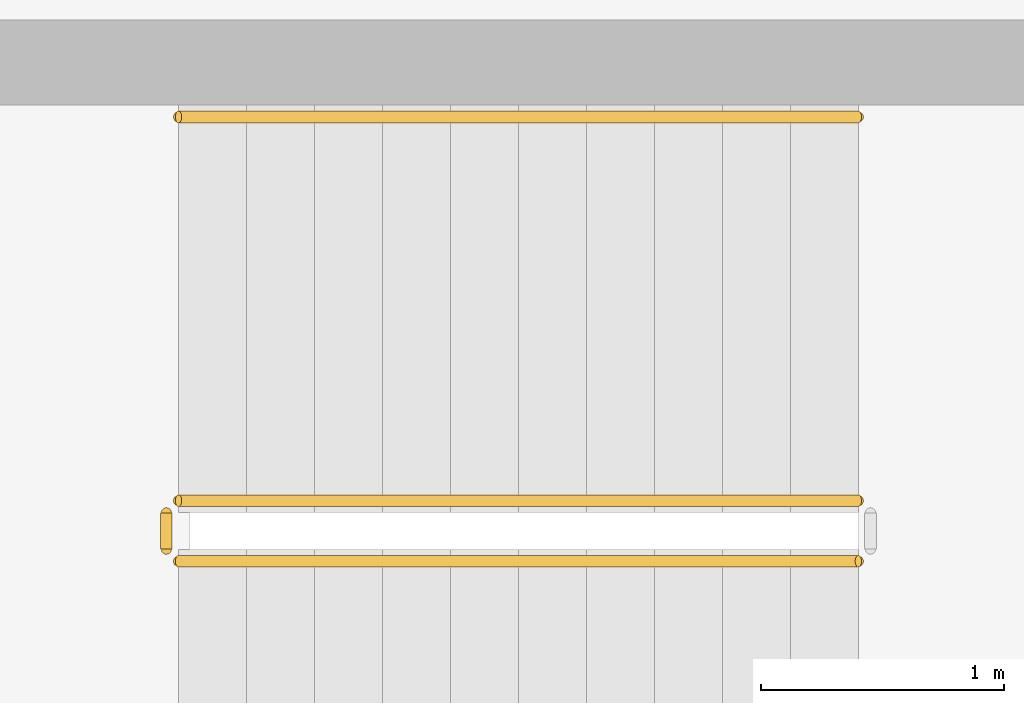
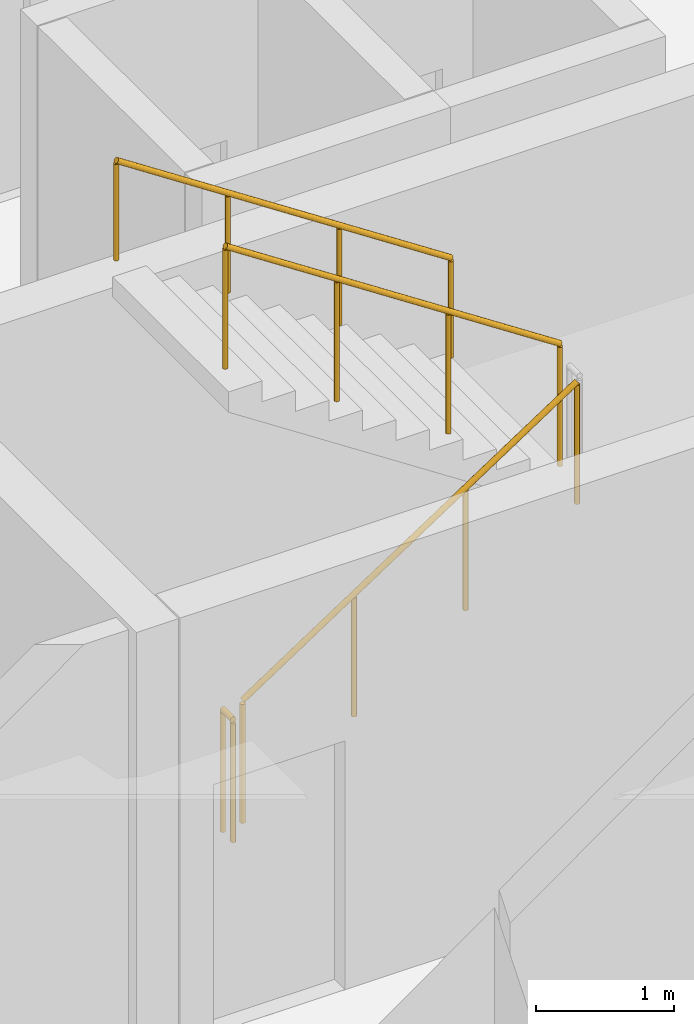
# One storey, part 40 of 45: 4 railings.
"""IFC4 building model written with IfcOpenShell, lengths in metres."""

from ifc_helpers import new_model, si_unit, direction, frame, origin, origin_2d, place, context, subcontext, project, spatial, circle, extrude, material, type_object, element, save


model = new_model("IFC4")

# Units and contexts
model_context = context("Model", 3, precision=1e-05, world=origin(), true_north=direction((0.0, 1.0)))
body_context = subcontext(model_context, "Body", "Model", "MODEL_VIEW")
ifc_project = project(units=[si_unit("LENGTHUNIT", "METRE"), si_unit("AREAUNIT", "SQUARE_METRE"), si_unit("VOLUMEUNIT", "CUBIC_METRE"), si_unit("PLANEANGLEUNIT", "RADIAN"), si_unit("MASSUNIT", "GRAM", prefix="KILO")], contexts=[model_context])

# Site, building, storey
site_placement = place(None, origin())
site = spatial("IfcSite", under=ifc_project, at=site_placement, CompositionType="ELEMENT")
building_placement = place(site_placement, origin())
building = spatial("IfcBuilding", under=site, at=building_placement, Name="Qorvath Tower", CompositionType="ELEMENT")
storey_placement = place(building_placement, frame((0.0, 0.0, 126.0)))
storey = spatial("IfcBuildingStorey", under=building, at=storey_placement, Name="L28", CompositionType="ELEMENT", Elevation=126.0)

# Railings
ifc_material_1 = material(Name="Painted galvanised steel", Category="steel")
railing_type_1 = type_object("IfcRailingType", Name="RL-STR-GRD", PredefinedType="GUARDRAIL", material=ifc_material_1)
railing_1_placement = place(storey_placement, frame((-22.669921875, -6.570068359375, 0.18408203125)))
element("IfcRailing", 1, at=railing_1_placement, inside=storey, type_object=railing_type_1, Name="L28 TS2 stair guard 1", PredefinedType="GUARDRAIL", context=body_context, shape_type="SweptSolid", body=[
    extrude(circle(Radius=0.02392578125, at=origin_2d()), frame((0.0, 0.0, 1.076171875), z_axis=(0.835575518608, 0.0, 0.549375602573), x_axis=(0.0, 1.0, 0.0)), (0.0, 0.0, 1.0), 3.350830078125),
    extrude(circle(Radius=0.02099609375, at=origin_2d()), origin(), (0.0, 0.0, 1.0), 1.052001953125),
    extrude(circle(Radius=0.02099609375, at=origin_2d()), frame((0.933349609375, 0.0, 0.613525390625)), (0.0, 0.0, 1.0), 1.052001953125),
    extrude(circle(Radius=0.02099609375, at=origin_2d()), frame((1.866455078125, 0.0, 1.227294921875)), (0.0, 0.0, 1.0), 1.052001953125),
    extrude(circle(Radius=0.02099609375, at=origin_2d()), frame((2.7998046875, 0.0, 1.8408203125)), (0.0, 0.0, 1.0), 1.052001953125),
])
railing_2_placement = place(storey_placement, frame((-19.8701171875, -6.320068359375, 2.208984375)))
element("IfcRailing", 2, at=railing_2_placement, inside=storey, type_object=railing_type_1, Name="L28 TS2 stair guard 3", PredefinedType="GUARDRAIL", context=body_context, shape_type="SweptSolid", body=[
    extrude(circle(Radius=0.02392578125, at=origin_2d()), frame((0.0, 0.0, 1.076171875), z_axis=(-0.835542071712, 0.0, 0.549426470421), x_axis=(0.0, -1.0, 0.0)), (0.0, 0.0, 1.0), 3.350830078125),
    extrude(circle(Radius=0.02099609375, at=origin_2d()), origin(), (0.0, 0.0, 1.0), 1.052001953125),
    extrude(circle(Radius=0.02099609375, at=origin_2d()), frame((-0.933349609375, 0.0, 0.61376953125)), (0.0, 0.0, 1.0), 1.052001953125),
    extrude(circle(Radius=0.02099609375, at=origin_2d()), frame((-1.866455078125, 0.0, 1.227294921875)), (0.0, 0.0, 1.0), 1.052001953125),
    extrude(circle(Radius=0.02099609375, at=origin_2d()), frame((-2.7998046875, 0.0, 1.841064453125)), (0.0, 0.0, 1.0), 1.052001953125),
])
railing_3_placement = place(storey_placement, frame((-22.719970703125, -6.52001953125, 0.0)))
element("IfcRailing", 3, at=railing_3_placement, inside=storey, type_object=railing_type_1, Name="L28 TS2 stair guard 4", PredefinedType="GUARDRAIL", context=body_context, shape_type="SweptSolid", body=[
    extrude(circle(Radius=0.02392578125, at=origin_2d()), frame((0.0, 0.0, 1.076171875), z_axis=(0.0, 1.0, 0.0), x_axis=(-1.0, 0.0, 0.0)), (0.0, 0.0, 1.0), 0.14990234375),
    extrude(circle(Radius=0.02099609375, at=origin_2d()), origin(), (0.0, 0.0, 1.0), 1.052001953125),
    extrude(circle(Radius=0.02099609375, at=origin_2d()), frame((0.0, 0.14990234375, 0.0)), (0.0, 0.0, 1.0), 1.052001953125),
])
ifc_material_2 = material(Name="Brushed stainless steel AISI 304", Category="steel")
railing_type_2 = type_object("IfcRailingType", Name="RL-STR-HND", PredefinedType="HANDRAIL", material=ifc_material_2)
railing_4_placement = place(storey_placement, frame((-19.8701171875, -4.739990234375, 2.208984375)))
element("IfcRailing", 4, at=railing_4_placement, inside=storey, type_object=railing_type_2, Name="L28 TS2 stair handrail 2", PredefinedType="HANDRAIL", context=body_context, shape_type="SweptSolid", body=[
    extrude(circle(Radius=0.02392578125, at=origin_2d()), frame((0.0, 0.0, 0.8759765625), z_axis=(-0.835542071712, 0.0, 0.549426470421), x_axis=(0.0, -1.0, 0.0)), (0.0, 0.0, 1.0), 3.350830078125),
    extrude(circle(Radius=0.02099609375, at=origin_2d()), origin(), (0.0, 0.0, 1.0), 0.851806640625),
    extrude(circle(Radius=0.02099609375, at=origin_2d()), frame((-0.933349609375, 0.0, 0.61376953125)), (0.0, 0.0, 1.0), 0.851806640625),
    extrude(circle(Radius=0.02099609375, at=origin_2d()), frame((-1.866455078125, 0.0, 1.227294921875)), (0.0, 0.0, 1.0), 0.851806640625),
    extrude(circle(Radius=0.02099609375, at=origin_2d()), frame((-2.7998046875, 0.0, 1.841064453125)), (0.0, 0.0, 1.0), 0.851806640625),
])

save(model, "model.ifc")
